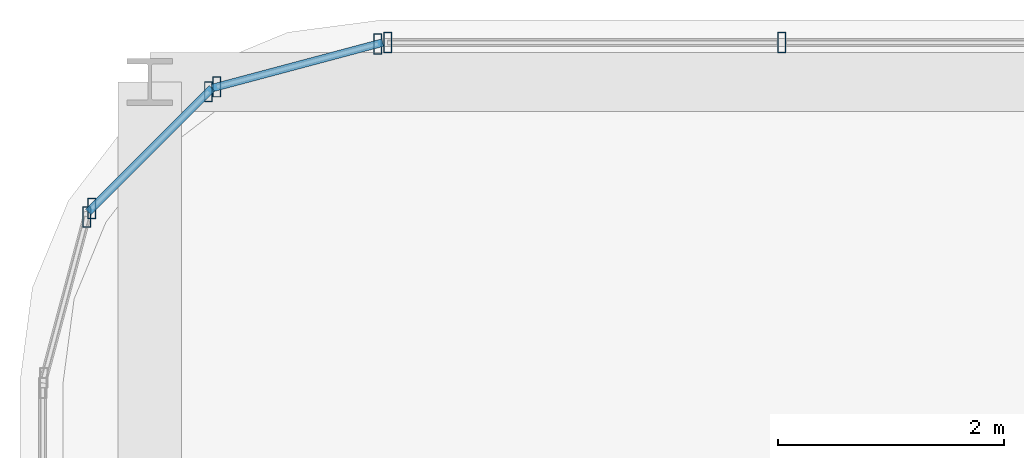
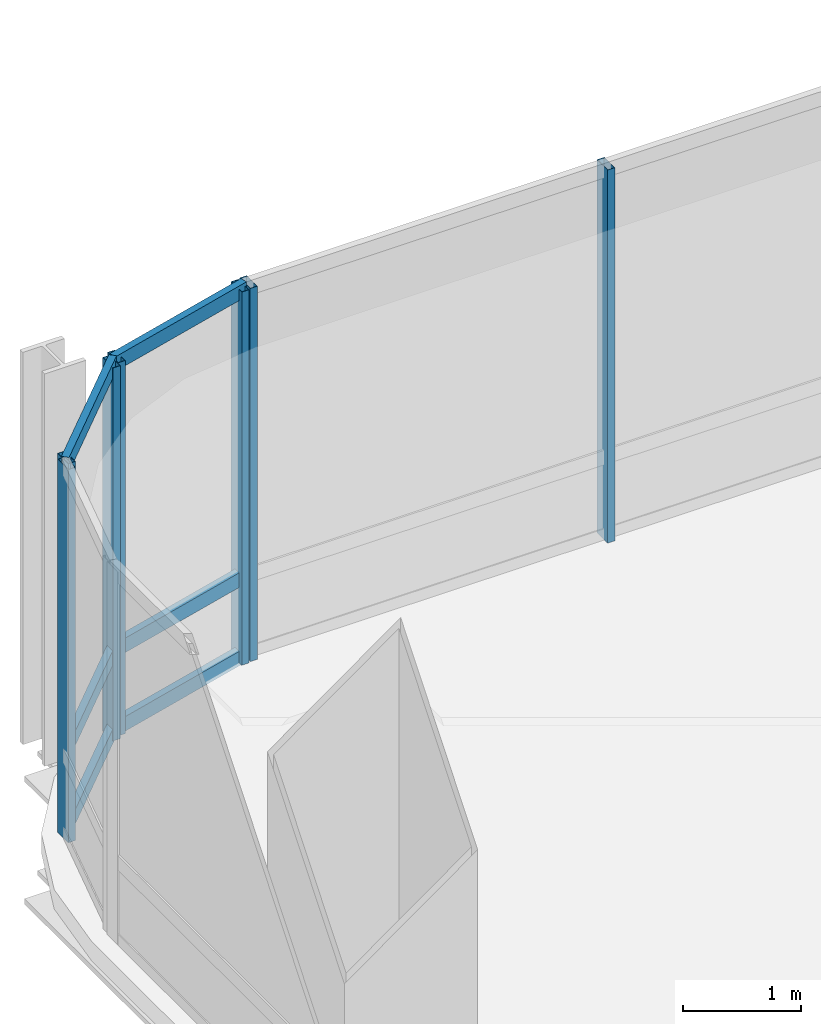
# One storey, part 24 of 40: 13 members, 4 elements without a shape of their own.
"""IFC4 building model written with IfcOpenShell, lengths in metres."""

from ifc_helpers import new_model, si_unit, direction, frame, origin, origin_2d, place, context, subcontext, project, spatial, hollow_rectangle, extrude, material, material_profile, profile_set, type_object, element, aggregate, save


model = new_model("IFC4")

# Units and contexts
model_context = context("Model", 3, precision=1e-05, world=origin(), true_north=direction((0.0, 1.0)))
body_context = subcontext(model_context, "Body", "Model", "MODEL_VIEW")
ifc_project = project(units=[si_unit("LENGTHUNIT", "METRE"), si_unit("AREAUNIT", "SQUARE_METRE"), si_unit("VOLUMEUNIT", "CUBIC_METRE"), si_unit("PLANEANGLEUNIT", "RADIAN"), si_unit("MASSUNIT", "GRAM", prefix="KILO")], contexts=[model_context])

# Site, building, storey
site_placement = place(None, origin())
site = spatial("IfcSite", under=ifc_project, at=site_placement, CompositionType="ELEMENT")
building_placement = place(site_placement, origin())
building = spatial("IfcBuilding", under=site, at=building_placement, Name="Punatoya Terracotta Tower", CompositionType="ELEMENT")
storey_placement = place(building_placement, frame((0.0, 0.0, 271.64990234375)))
storey = spatial("IfcBuildingStorey", under=building, at=storey_placement, Name="L64", CompositionType="ELEMENT", Elevation=271.64990234375)

# Curtain wall, members
ifc_material_1 = material(Name="Aluminium 6063-T6 + Double Low-E Glass", Category="aluminium")
curtain_wall_type = type_object("IfcCurtainWallType", Name="CW-M3", PredefinedType="NOTDEFINED", material=ifc_material_1)
curtain_wall_1_placement = place(storey_placement, origin())
curtain_wall_1 = element("IfcCurtainWall", 1, at=curtain_wall_1_placement, inside=storey, type_object=curtain_wall_type, Name="L64 Curtain Wall CW-L64-N09-1", PredefinedType="NOTDEFINED")
ifc_material_2 = material(Name="Aluminium 6063-T6", Category="aluminium")
ifc_material_profile_1 = material_profile(ifc_material_2, hollow_rectangle(XDim=0.070068359375, YDim=0.179931640625, WallThickness=0.00390625, at=origin_2d()))
ifc_profile_set_1 = profile_set([ifc_material_profile_1], Name="Aluminium 6063-T6")
member_type_1 = type_object("IfcMemberType", Name="CW-MUL-M3", PredefinedType="MULLION", material=ifc_profile_set_1)
member_1_placement = place(storey_placement, frame((-13.5029296875, 23.25, 0.0), z_axis=(0.0, 0.0, 1.0), x_axis=(1.0, 0.0, 0.0)))
member_1 = element("IfcMember", 2, at=member_1_placement, type_object=member_type_1, Name="CW-L64-N09-1 Mullion 10", PredefinedType="MULLION", context=body_context, shape_type="SweptSolid", body=[
    extrude(hollow_rectangle(XDim=0.070068359375, YDim=0.179931640625, WallThickness=0.00390625, at=origin_2d()), origin(), (0.0, 0.0, 1.0), 3.85009765625),
])
member_2_placement = place(storey_placement, frame((-16.991943359375, 23.25, 0.0), z_axis=(0.0, 0.0, 1.0), x_axis=(1.0, 0.0, 0.0)))
member_2 = element("IfcMember", 3, at=member_2_placement, type_object=member_type_1, Name="CW-L64-N09-1 Mullion 11", PredefinedType="MULLION", context=body_context, shape_type="SweptSolid", body=[
    extrude(hollow_rectangle(XDim=0.070068359375, YDim=0.179931640625, WallThickness=0.00390625, at=origin_2d()), origin(), (0.0, 0.0, 1.0), 3.85009765625),
])
aggregate(curtain_wall_1, [member_1, member_2])

curtain_wall_2_placement = place(storey_placement, origin())
curtain_wall_2 = element("IfcCurtainWall", 4, at=curtain_wall_2_placement, inside=storey, type_object=curtain_wall_type, Name="L64 Curtain Wall CW-L64-CRN10", PredefinedType="NOTDEFINED")
member_3_placement = place(storey_placement, frame((-17.080322265625, 23.23828125, 0.0), z_axis=(0.0, 0.0, 1.0), x_axis=(1.0, 0.0, 0.0)))
member_3 = element("IfcMember", 5, at=member_3_placement, type_object=member_type_1, Name="CW-L64-CRN10 Mullion 00", PredefinedType="MULLION", context=body_context, shape_type="SweptSolid", body=[
    extrude(hollow_rectangle(XDim=0.070068359375, YDim=0.179931640625, WallThickness=0.00390625, at=origin_2d()), origin(), (0.0, 0.0, 1.0), 3.85009765625),
])
member_4_placement = place(storey_placement, frame((-18.505615234375, 22.858154296875, 0.0), z_axis=(0.0, 0.0, 1.0), x_axis=(1.0, 0.0, 0.0)))
member_4 = element("IfcMember", 6, at=member_4_placement, type_object=member_type_1, Name="CW-L64-CRN10 Mullion 01", PredefinedType="MULLION", context=body_context, shape_type="SweptSolid", body=[
    extrude(hollow_rectangle(XDim=0.070068359375, YDim=0.179931640625, WallThickness=0.00390625, at=origin_2d()), origin(), (0.0, 0.0, 1.0), 3.85009765625),
])

curtain_wall_3_placement = place(storey_placement, origin())
curtain_wall_3 = element("IfcCurtainWall", 7, at=curtain_wall_3_placement, inside=storey, type_object=curtain_wall_type, Name="L64 Curtain Wall CW-L64-CRN11", PredefinedType="NOTDEFINED")
member_5_placement = place(storey_placement, frame((-18.580810546875, 22.814697265625, 0.0), z_axis=(0.0, 0.0, 1.0), x_axis=(1.0, 0.0, 0.0)))
member_5 = element("IfcMember", 8, at=member_5_placement, type_object=member_type_1, Name="CW-L64-CRN11 Mullion 00", PredefinedType="MULLION", context=body_context, shape_type="SweptSolid", body=[
    extrude(hollow_rectangle(XDim=0.070068359375, YDim=0.179931640625, WallThickness=0.00390625, at=origin_2d()), origin(), (0.0, 0.0, 1.0), 3.85009765625),
])
member_6_placement = place(storey_placement, frame((-19.61474609375, 21.781005859375, 0.0), z_axis=(0.0, 0.0, 1.0), x_axis=(1.0, 0.0, 0.0)))
member_6 = element("IfcMember", 9, at=member_6_placement, type_object=member_type_1, Name="CW-L64-CRN11 Mullion 01", PredefinedType="MULLION", context=body_context, shape_type="SweptSolid", body=[
    extrude(hollow_rectangle(XDim=0.070068359375, YDim=0.179931640625, WallThickness=0.00390625, at=origin_2d()), origin(), (0.0, 0.0, 1.0), 3.85009765625),
])

# Curtain wall, member
curtain_wall_4_placement = place(storey_placement, origin())
curtain_wall_4 = element("IfcCurtainWall", 10, at=curtain_wall_4_placement, inside=storey, type_object=curtain_wall_type, Name="L64 Curtain Wall CW-L64-CRN12", PredefinedType="NOTDEFINED")
member_7_placement = place(storey_placement, frame((-19.658203125, 21.70556640625, 0.0), z_axis=(0.0, 0.0, 1.0), x_axis=(1.0, 0.0, 0.0)))
member_7 = element("IfcMember", 11, at=member_7_placement, type_object=member_type_1, Name="CW-L64-CRN12 Mullion 00", PredefinedType="MULLION", context=body_context, shape_type="SweptSolid", body=[
    extrude(hollow_rectangle(XDim=0.070068359375, YDim=0.179931640625, WallThickness=0.00390625, at=origin_2d()), origin(), (0.0, 0.0, 1.0), 3.85009765625),
])
aggregate(curtain_wall_4, [member_7])

# Member
ifc_material_profile_2 = material_profile(ifc_material_2, hollow_rectangle(XDim=0.068115234375, YDim=0.14990234375, WallThickness=0.00390625, at=origin_2d()))
ifc_profile_set_2 = profile_set([ifc_material_profile_2], Name="Aluminium 6063-T6")
member_type_2 = type_object("IfcMemberType", Name="CW-TRN-TYP", PredefinedType="USERDEFINED", material=ifc_profile_set_2)
member_8_placement = place(storey_placement, frame((-17.036865234375, 23.25, 0.0400390625), z_axis=(-0.966224582397, -0.257701486942, 0.0), x_axis=(0.257701486942, -0.966224582397, 0.0)))
member_8 = element("IfcMember", 12, at=member_8_placement, type_object=member_type_2, Name="CW-L64-CRN10 Transom 1", ObjectType="TRANSOM", PredefinedType="USERDEFINED", context=body_context, shape_type="SweptSolid", body=[
    extrude(hollow_rectangle(XDim=0.068115234375, YDim=0.14990234375, WallThickness=0.00390625, at=origin_2d()), origin(), (0.0, 0.0, 1.0), 1.565185546875),
])

member_9_placement = place(storey_placement, frame((-17.036865234375, 23.25, 0.85009765625), z_axis=(-0.966224582397, -0.257701486942, 0.0), x_axis=(0.257701486942, -0.966224582397, 0.0)))
member_9 = element("IfcMember", 13, at=member_9_placement, type_object=member_type_2, Name="CW-L64-CRN10 Transom 2", ObjectType="TRANSOM", PredefinedType="USERDEFINED", context=body_context, shape_type="SweptSolid", body=[
    extrude(hollow_rectangle(XDim=0.068115234375, YDim=0.14990234375, WallThickness=0.00390625, at=origin_2d()), origin(), (0.0, 0.0, 1.0), 1.565185546875),
])

member_10_placement = place(storey_placement, frame((-17.036865234375, 23.25, 3.81005859375), z_axis=(-0.966224582397, -0.257701486942, 0.0), x_axis=(0.257701486942, -0.966224582397, 0.0)))
member_10 = element("IfcMember", 14, at=member_10_placement, type_object=member_type_2, Name="CW-L64-CRN10 Transom 3", ObjectType="TRANSOM", PredefinedType="USERDEFINED", context=body_context, shape_type="SweptSolid", body=[
    extrude(hollow_rectangle(XDim=0.068115234375, YDim=0.14990234375, WallThickness=0.00390625, at=origin_2d()), origin(), (0.0, 0.0, 1.0), 1.565185546875),
])

aggregate(curtain_wall_2, [member_3, member_4, member_8, member_9, member_10])

member_11_placement = place(storey_placement, frame((-18.549072265625, 22.8466796875, 0.0400390625), z_axis=(-0.707028130747, -0.707185422879, 0.0), x_axis=(0.707185422879, -0.707028130747, 0.0)))
member_11 = element("IfcMember", 15, at=member_11_placement, type_object=member_type_2, Name="CW-L64-CRN11 Transom 1", ObjectType="TRANSOM", PredefinedType="USERDEFINED", context=body_context, shape_type="SweptSolid", body=[
    extrude(hollow_rectangle(XDim=0.068115234375, YDim=0.14990234375, WallThickness=0.00390625, at=origin_2d()), origin(), (0.0, 0.0, 1.0), 1.55224609375),
])

member_12_placement = place(storey_placement, frame((-18.549072265625, 22.8466796875, 0.85009765625), z_axis=(-0.707028130747, -0.707185422879, 0.0), x_axis=(0.707185422879, -0.707028130747, 0.0)))
member_12 = element("IfcMember", 16, at=member_12_placement, type_object=member_type_2, Name="CW-L64-CRN11 Transom 2", ObjectType="TRANSOM", PredefinedType="USERDEFINED", context=body_context, shape_type="SweptSolid", body=[
    extrude(hollow_rectangle(XDim=0.068115234375, YDim=0.14990234375, WallThickness=0.00390625, at=origin_2d()), origin(), (0.0, 0.0, 1.0), 1.55224609375),
])

member_13_placement = place(storey_placement, frame((-18.549072265625, 22.8466796875, 3.81005859375), z_axis=(-0.707028130747, -0.707185422879, 0.0), x_axis=(0.707185422879, -0.707028130747, 0.0)))
member_13 = element("IfcMember", 17, at=member_13_placement, type_object=member_type_2, Name="CW-L64-CRN11 Transom 3", ObjectType="TRANSOM", PredefinedType="USERDEFINED", context=body_context, shape_type="SweptSolid", body=[
    extrude(hollow_rectangle(XDim=0.068115234375, YDim=0.14990234375, WallThickness=0.00390625, at=origin_2d()), origin(), (0.0, 0.0, 1.0), 1.55224609375),
])

aggregate(curtain_wall_3, [member_5, member_6, member_11, member_12, member_13])

save(model, "model.ifc")
